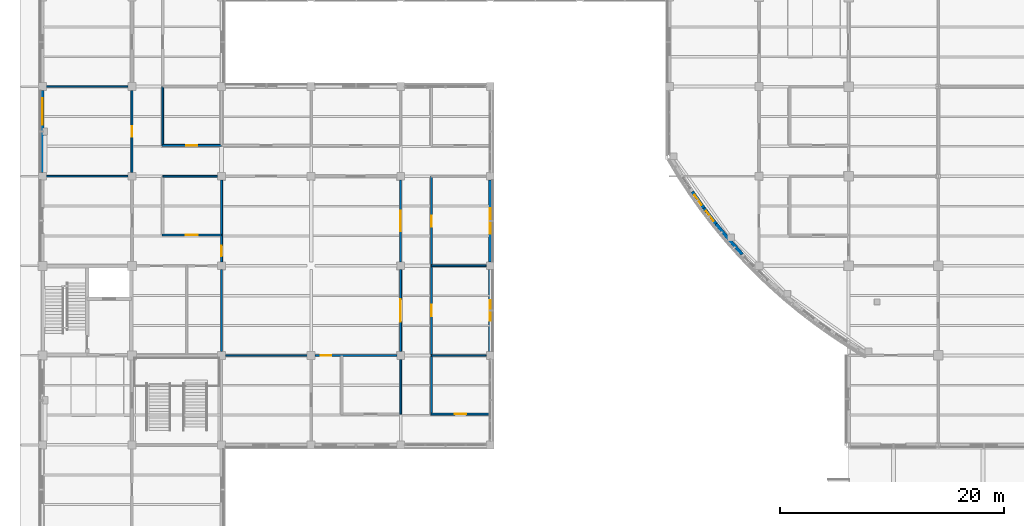
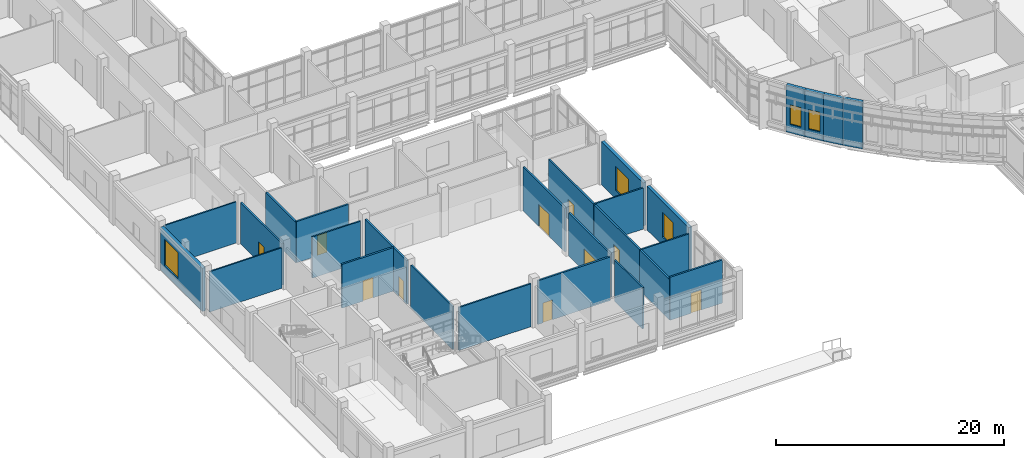
# One storey, part 60 of 105: 27 walls, 10 doors, 5 windows, 15 openings.
"""IFC4 building model written with IfcOpenShell, lengths in metres."""

from ifc_helpers import new_model, si_unit, derived_unit, direction, frame, frame_2d, origin, place, context, subcontext, project, spatial, rectangle, extrude, material, layer, layer_set, type_object, element, fill, save


model = new_model("IFC4")

# Units and contexts
model_context = context("Model", 3, precision=1e-05, world=origin(), true_north=direction((0.0, 1.0)))
body_context = subcontext(model_context, "Body", "Model", "MODEL_VIEW")
ifc_project = project(units=[si_unit("LENGTHUNIT", "METRE"), si_unit("AREAUNIT", "SQUARE_METRE"), si_unit("VOLUMEUNIT", "CUBIC_METRE"), si_unit("PLANEANGLEUNIT", "RADIAN"), si_unit("MASSUNIT", "GRAM", prefix="KILO"), derived_unit("THERMALTRANSMITTANCEUNIT", [(si_unit("MASSUNIT", "GRAM", prefix="KILO"), 1), (si_unit("TIMEUNIT", "SECOND"), -3), (si_unit("THERMODYNAMICTEMPERATUREUNIT", "KELVIN"), -1)])], contexts=[model_context])

# Site, building, storey
site_placement = place(None, origin())
site = spatial("IfcSite", under=ifc_project, at=site_placement, CompositionType="ELEMENT")
building_placement = place(site_placement, origin())
building = spatial("IfcBuilding", under=site, at=building_placement, Name="Veyamyaing Civic Hall", CompositionType="ELEMENT")
storey_placement = place(building_placement, origin())
storey = spatial("IfcBuildingStorey", under=building, at=storey_placement, Name="L00", CompositionType="ELEMENT", Elevation=0.0)

# Wall, opening, window
ifc_material_1 = material(Name="Precast concrete C40/50", Category="concrete")
ifc_layer_1 = layer(ifc_material_1, 0.320068359375, Name="Precast concrete C40/50")
ifc_layer_set_1 = layer_set([ifc_layer_1], Name="Precast concrete C40/50")
wall_type_1 = type_object("IfcWallType", Name="WT-02", PredefinedType="SOLIDWALL", material=ifc_layer_set_1)
wall_1_placement = place(storey_placement, frame((0.0, 32.3349609375, 0.0), z_axis=(0.0, 0.0, 1.0), x_axis=(0.0, 1.0, 0.0)))
wall_1 = element("IfcWall", 1, at=wall_1_placement, inside=storey, type_object=wall_type_1, Name="Exterior facade wall WT-02 L00 W 1.5", PredefinedType="SOLIDWALL", context=body_context, shape_type="SweptSolid", body=[
    extrude(rectangle(XDim=7.330078125, YDim=0.320068359375, at=frame_2d((3.6650390625, 0.0))), origin(), (0.0, 0.0, 1.0), 4.610107421875),
])
opening_1_placement = place(wall_1_placement, frame((4.25, 0.0, 0.89990234375)))
opening_1 = element("IfcOpeningElement", 2, at=opening_1_placement, cuts=wall_1, Name="Opening W-01", PredefinedType="OPENING", context=body_context, shape_type="SweptSolid", body=[
    extrude(rectangle(XDim=2.39990234375, YDim=2.800048828125, at=frame_2d((1.199951171875, 1.39990234375))), frame((0.0, 0.169921875, 0.0), z_axis=(0.0, -1.0, 0.0), x_axis=(1.0, 0.0, 0.0)), (0.0, 0.0, 1.0), 0.340087890625),
])
ifc_material_2 = material(Name="Low-E insulated glass", Category="glass")
window_type_1 = type_object("IfcWindowType", Name="W-01", PartitioningType="SINGLE_PANEL", PredefinedType="WINDOW", material=ifc_material_2)
window_1_placement = place(opening_1_placement, origin())
window_1 = element("IfcWindow", 3, at=window_1_placement, inside=storey, type_object=window_type_1, Name="Facade window W-01 L00 W 1.5", OverallHeight=2.800048828125, OverallWidth=2.39990234375, PartitioningType="SINGLE_PANEL", PredefinedType="WINDOW", context=body_context, shape_type="SweptSolid", body=[
    extrude(rectangle(XDim=2.39990234375, YDim=2.800048828125, at=frame_2d((1.199951171875, 1.39990234375))), frame((0.0, 0.030029296875, 0.0), z_axis=(0.0, -1.0, 0.0), x_axis=(1.0, 0.0, 0.0)), (0.0, 0.0, 1.0), 0.06005859375),
])
fill(opening_1, window_1)

wall_2_placement = place(storey_placement, frame((40.0, 16.3349609375, 0.0), z_axis=(0.0, 0.0, 1.0), x_axis=(0.0, 1.0, 0.0)))
wall_2 = element("IfcWall", 4, at=wall_2_placement, inside=storey, type_object=wall_type_1, Name="Exterior facade wall WT-02 L00 E 5.3", PredefinedType="SOLIDWALL", context=body_context, shape_type="SweptSolid", body=[
    extrude(rectangle(XDim=7.330078125, YDim=0.320068359375, at=frame_2d((3.6650390625, 0.0))), origin(), (0.0, 0.0, 1.0), 4.677001953125),
])
opening_2_placement = place(wall_2_placement, frame((2.739990234375, 0.0, 0.89990234375)))
opening_2 = element("IfcOpeningElement", 5, at=opening_2_placement, cuts=wall_2, Name="Opening W-03", PredefinedType="OPENING", context=body_context, shape_type="SweptSolid", body=[
    extrude(rectangle(XDim=1.85009765625, YDim=2.64990234375, at=frame_2d((0.925048828125, 1.324951171875))), frame((0.0, 0.169921875, 0.0), z_axis=(0.0, -1.0, 0.0), x_axis=(1.0, 0.0, 0.0)), (0.0, 0.0, 1.0), 0.340087890625),
])
window_type_2 = type_object("IfcWindowType", Name="W-03", PartitioningType="SINGLE_PANEL", PredefinedType="WINDOW", material=ifc_material_2)
window_2_placement = place(opening_2_placement, origin())
window_2 = element("IfcWindow", 6, at=window_2_placement, inside=storey, type_object=window_type_2, Name="Facade window W-03 L00 E 5.3", OverallHeight=2.64990234375, OverallWidth=1.85009765625, PartitioningType="SINGLE_PANEL", PredefinedType="WINDOW", context=body_context, shape_type="SweptSolid", body=[
    extrude(rectangle(XDim=1.85009765625, YDim=2.64990234375, at=frame_2d((0.925048828125, 1.324951171875))), frame((0.0, 0.030029296875, 0.0), z_axis=(0.0, -1.0, 0.0), x_axis=(1.0, 0.0, 0.0)), (0.0, 0.0, 1.0), 0.06005859375),
])
fill(opening_2, window_2)

wall_3_placement = place(storey_placement, frame((40.0, 24.3349609375, 0.0), z_axis=(0.0, 0.0, 1.0), x_axis=(0.0, 1.0, 0.0)))
wall_3 = element("IfcWall", 7, at=wall_3_placement, inside=storey, type_object=wall_type_1, Name="Exterior facade wall WT-02 L00 E 5.4", PredefinedType="SOLIDWALL", context=body_context, shape_type="SweptSolid", body=[
    extrude(rectangle(XDim=7.330078125, YDim=0.320068359375, at=frame_2d((3.6650390625, 0.0))), origin(), (0.0, 0.0, 1.0), 4.610107421875),
])
opening_3_placement = place(wall_3_placement, frame((2.514892578125, 0.0, 0.89990234375)))
opening_3 = element("IfcOpeningElement", 8, at=opening_3_placement, cuts=wall_3, Name="Opening W-25", PredefinedType="OPENING", context=body_context, shape_type="SweptSolid", body=[
    extrude(rectangle(XDim=2.300048828125, YDim=2.550048828125, at=frame_2d((1.14990234375, 1.27490234375))), frame((0.0, 0.169921875, 0.0), z_axis=(0.0, -1.0, 0.0), x_axis=(1.0, 0.0, 0.0)), (0.0, 0.0, 1.0), 0.340087890625),
])
window_type_3 = type_object("IfcWindowType", Name="W-25", PartitioningType="SINGLE_PANEL", PredefinedType="WINDOW", material=ifc_material_2)
window_3_placement = place(opening_3_placement, origin())
window_3 = element("IfcWindow", 9, at=window_3_placement, inside=storey, type_object=window_type_3, Name="Facade window W-25 L00 E 5.4", OverallHeight=2.550048828125, OverallWidth=2.300048828125, PartitioningType="SINGLE_PANEL", PredefinedType="WINDOW", context=body_context, shape_type="SweptSolid", body=[
    extrude(rectangle(XDim=2.300048828125, YDim=2.550048828125, at=frame_2d((1.14990234375, 1.27490234375))), frame((0.0, 0.030029296875, 0.0), z_axis=(0.0, -1.0, 0.0), x_axis=(1.0, 0.0, 0.0)), (0.0, 0.0, 1.0), 0.06005859375),
])
fill(opening_3, window_3)

ifc_layer_2 = layer(ifc_material_1, 0.304931640625, Name="Precast concrete C40/50")
ifc_layer_set_2 = layer_set([ifc_layer_2], Name="Precast concrete C40/50")
wall_type_2 = type_object("IfcWallType", Name="WT-03", PredefinedType="SOLIDWALL", material=ifc_layer_set_2)
wall_4_placement = place(storey_placement, frame((58.0361328125, 30.61962890625, 0.0), z_axis=(0.0, 0.0, 1.0), x_axis=(0.578662393636, -0.815567185578, 0.0)))
wall_4 = element("IfcWall", 10, at=wall_4_placement, inside=storey, type_object=wall_type_2, Name="Curved corner facade wall WT-03 L00 SW.3", PredefinedType="SOLIDWALL", context=body_context, shape_type="SweptSolid", body=[
    extrude(rectangle(XDim=1.795166015625, YDim=0.304931640625, at=frame_2d((0.8974609375, 0.0))), origin(), (0.0, 0.0, 1.0), 5.034912109375),
])
opening_4_placement = place(wall_4_placement, frame((0.34765625, 0.0, 0.89990234375)))
opening_4 = element("IfcOpeningElement", 11, at=opening_4_placement, cuts=wall_4, Name="Opening W-15", PredefinedType="OPENING", context=body_context, shape_type="SweptSolid", body=[
    extrude(rectangle(XDim=1.10009765625, YDim=2.10009765625, at=frame_2d((0.550048828125, 1.050048828125))), frame((0.0, 0.162353515625, 0.0), z_axis=(0.0, -1.0, 0.0), x_axis=(1.0, 0.0, 0.0)), (0.0, 0.0, 1.0), 0.324951171875),
])
window_type_4 = type_object("IfcWindowType", Name="W-15", PartitioningType="SINGLE_PANEL", PredefinedType="WINDOW", material=ifc_material_2)
window_4_placement = place(opening_4_placement, origin())
window_4 = element("IfcWindow", 12, at=window_4_placement, inside=storey, type_object=window_type_4, Name="Curved ribbon window W-15 L00 SW.3", OverallHeight=2.10009765625, OverallWidth=1.10009765625, PartitioningType="SINGLE_PANEL", PredefinedType="WINDOW", context=body_context, shape_type="SweptSolid", body=[
    extrude(rectangle(XDim=1.10009765625, YDim=2.10009765625, at=frame_2d((0.550048828125, 1.050048828125))), frame((0.0, 0.030029296875, 0.0), z_axis=(0.0, -1.0, 0.0), x_axis=(1.0, 0.0, 0.0)), (0.0, 0.0, 1.0), 0.06005859375),
])
fill(opening_4, window_4)

wall_5_placement = place(storey_placement, frame((59.071533203125, 29.16015625, 0.0), z_axis=(0.0, 0.0, 1.0), x_axis=(0.608776981616, -0.793341406114, 0.0)))
wall_5 = element("IfcWall", 13, at=wall_5_placement, inside=storey, type_object=wall_type_2, Name="Curved corner facade wall WT-03 L00 SW.4", PredefinedType="SOLIDWALL", context=body_context, shape_type="SweptSolid", body=[
    extrude(rectangle(XDim=1.794921875, YDim=0.304931640625, at=frame_2d((0.8974609375, 0.0))), origin(), (0.0, 0.0, 1.0), 5.034912109375),
])
opening_5_placement = place(wall_5_placement, frame((0.347412109375, 0.0, 0.89990234375)))
opening_5 = element("IfcOpeningElement", 14, at=opening_5_placement, cuts=wall_5, Name="Opening W-15", PredefinedType="OPENING", context=body_context, shape_type="SweptSolid", body=[
    extrude(rectangle(XDim=1.10009765625, YDim=2.10009765625, at=frame_2d((0.550048828125, 1.050048828125))), frame((0.0, 0.162353515625, 0.0), z_axis=(0.0, -1.0, 0.0), x_axis=(1.0, 0.0, 0.0)), (0.0, 0.0, 1.0), 0.324951171875),
])
window_5_placement = place(opening_5_placement, origin())
window_5 = element("IfcWindow", 15, at=window_5_placement, inside=storey, type_object=window_type_4, Name="Curved ribbon window W-15 L00 SW.4", OverallHeight=2.10009765625, OverallWidth=1.10009765625, PartitioningType="SINGLE_PANEL", PredefinedType="WINDOW", context=body_context, shape_type="SweptSolid", body=[
    extrude(rectangle(XDim=1.10009765625, YDim=2.10009765625, at=frame_2d((0.550048828125, 1.050048828125))), frame((0.0, 0.030029296875, 0.0), z_axis=(0.0, -1.0, 0.0), x_axis=(1.0, 0.0, 0.0)), (0.0, 0.0, 1.0), 0.06005859375),
])
fill(opening_5, window_5)

# Walls
wall_6_placement = place(storey_placement, frame((60.16064453125, 27.740478515625, 0.0), z_axis=(0.0, 0.0, 1.0), x_axis=(0.638054732073, -0.769991012207, 0.0)))
element("IfcWall", 16, at=wall_6_placement, inside=storey, type_object=wall_type_2, Name="Curved corner facade wall WT-03 L00 SW.5", PredefinedType="SOLIDWALL", context=body_context, shape_type="SweptSolid", body=[
    extrude(rectangle(XDim=1.794921875, YDim=0.304931640625, at=frame_2d((0.8974609375, 0.0))), origin(), (0.0, 0.0, 1.0), 5.034912109375),
])
wall_7_placement = place(storey_placement, frame((61.30224609375, 26.36279296875, 0.0), z_axis=(0.0, 0.0, 1.0), x_axis=(0.666277888361, -0.745703543965, 0.0)))
element("IfcWall", 17, at=wall_7_placement, inside=storey, type_object=wall_type_2, Name="Curved corner facade wall WT-03 L00 SW.6", PredefinedType="SOLIDWALL", context=body_context, shape_type="SweptSolid", body=[
    extrude(rectangle(XDim=1.795166015625, YDim=0.304931640625, at=frame_2d((0.8974609375, 0.0))), origin(), (0.0, 0.0, 1.0), 5.034912109375),
])

# Wall, opening, door
ifc_material_3 = material(Name="Gypsum board on acoustic steel stud", Category="steel")
ifc_layer_3 = layer(ifc_material_3, 0.175048828125, Name="Gypsum board on acoustic steel stud")
ifc_layer_set_3 = layer_set([ifc_layer_3], Name="Gypsum board on acoustic steel stud")
wall_type_3 = type_object("IfcWallType", Name="WT-07", PredefinedType="PARTITIONING", material=ifc_layer_set_3)
wall_8_placement = place(storey_placement, frame((10.699951171875, 34.75, 0.0), z_axis=(0.0, 0.0, 1.0), x_axis=(1.0, 0.0, 0.0)))
wall_8 = element("IfcWall", 18, at=wall_8_placement, inside=storey, type_object=wall_type_3, Name="Corridor gallery partition WT-07 L00.5.1", PredefinedType="PARTITIONING", context=body_context, shape_type="SweptSolid", body=[
    extrude(rectangle(XDim=5.280029296875, YDim=0.175048828125, at=frame_2d((2.64013671875, 0.0))), origin(), (0.0, 0.0, 1.0), 4.404052734375),
])
opening_6_placement = place(wall_8_placement, frame((2.159912109375, 0.0, 0.0)))
opening_6 = element("IfcOpeningElement", 19, at=opening_6_placement, cuts=wall_8, Name="Opening D-25", PredefinedType="OPENING", context=body_context, shape_type="SweptSolid", body=[
    extrude(rectangle(XDim=0.9599609375, YDim=2.139892578125, at=frame_2d((0.47998046875, 1.06982421875))), frame((0.0, 0.097412109375, 0.0), z_axis=(0.0, -1.0, 0.0), x_axis=(1.0, 0.0, 0.0)), (0.0, 0.0, 1.0), 0.195068359375),
])
ifc_material_4 = material(Name="Teak-veneered acoustic timber", Category="wood")
door_type_1 = type_object("IfcDoorType", Name="D-25", OperationType="NOTDEFINED", PredefinedType="DOOR", material=ifc_material_4)
door_1_placement = place(opening_6_placement, origin())
door_1 = element("IfcDoor", 20, at=door_1_placement, inside=storey, type_object=door_type_1, Name="Gallery office door D-25 L00.5", OperationType="SINGLE_SWING_RIGHT", OverallHeight=2.139892578125, OverallWidth=0.9599609375, PredefinedType="DOOR", context=body_context, shape_type="SweptSolid", body=[
    extrude(rectangle(XDim=0.9599609375, YDim=2.139892578125, at=frame_2d((0.47998046875, 1.06982421875))), frame((0.0, 0.02490234375, 0.0), z_axis=(0.0, -1.0, 0.0), x_axis=(1.0, 0.0, 0.0)), (0.0, 0.0, 1.0), 0.050048828125),
])
fill(opening_6, door_1)

# Wall
wall_9_placement = place(storey_placement, frame((10.75, 34.699951171875, 0.0), z_axis=(0.0, 0.0, 1.0), x_axis=(0.0, 1.0, 0.0)))
element("IfcWall", 21, at=wall_9_placement, inside=storey, type_object=wall_type_3, Name="Corridor gallery partition WT-07 L00.5.2", PredefinedType="PARTITIONING", context=body_context, shape_type="SweptSolid", body=[
    extrude(rectangle(XDim=5.280029296875, YDim=0.175048828125, at=frame_2d((2.64013671875, 0.0))), origin(), (0.0, 0.0, 1.0), 4.3359375),
])

# Wall, opening, door
wall_10_placement = place(storey_placement, frame((34.699951171875, 10.75, 0.0), z_axis=(0.0, 0.0, 1.0), x_axis=(1.0, 0.0, 0.0)))
wall_10 = element("IfcWall", 22, at=wall_10_placement, inside=storey, type_object=wall_type_3, Name="Corridor gallery partition WT-07 L00.19.1", PredefinedType="PARTITIONING", context=body_context, shape_type="SweptSolid", body=[
    extrude(rectangle(XDim=5.280029296875, YDim=0.175048828125, at=frame_2d((2.64013671875, 0.0))), origin(), (0.0, 0.0, 1.0), 4.60693359375),
])
opening_7_placement = place(wall_10_placement, frame((2.114990234375, 0.0, 0.0)))
opening_7 = element("IfcOpeningElement", 23, at=opening_7_placement, cuts=wall_10, Name="Opening D-12", PredefinedType="OPENING", context=body_context, shape_type="SweptSolid", body=[
    extrude(rectangle(XDim=1.050048828125, YDim=2.14990234375, at=frame_2d((0.52490234375, 1.074951171875))), frame((0.0, 0.097412109375, 0.0), z_axis=(0.0, -1.0, 0.0), x_axis=(1.0, 0.0, 0.0)), (0.0, 0.0, 1.0), 0.195068359375),
])
door_type_2 = type_object("IfcDoorType", Name="D-12", OperationType="NOTDEFINED", PredefinedType="DOOR", material=ifc_material_4)
door_2_placement = place(opening_7_placement, origin())
door_2 = element("IfcDoor", 24, at=door_2_placement, inside=storey, type_object=door_type_2, Name="Gallery office door D-12 L00.19", OperationType="SINGLE_SWING_RIGHT", OverallHeight=2.14990234375, OverallWidth=1.050048828125, PredefinedType="DOOR", context=body_context, shape_type="SweptSolid", body=[
    extrude(rectangle(XDim=1.050048828125, YDim=2.14990234375, at=frame_2d((0.52490234375, 1.074951171875))), frame((0.0, 0.02490234375, 0.0), z_axis=(0.0, -1.0, 0.0), x_axis=(1.0, 0.0, 0.0)), (0.0, 0.0, 1.0), 0.050048828125),
])
fill(opening_7, door_2)

# Wall
wall_11_placement = place(storey_placement, frame((34.75, 10.699951171875, 0.0), z_axis=(0.0, 0.0, 1.0), x_axis=(0.0, 1.0, 0.0)))
element("IfcWall", 25, at=wall_11_placement, inside=storey, type_object=wall_type_3, Name="Corridor gallery partition WT-07 L00.19.2", PredefinedType="PARTITIONING", context=body_context, shape_type="SweptSolid", body=[
    extrude(rectangle(XDim=5.280029296875, YDim=0.175048828125, at=frame_2d((2.64013671875, 0.0))), origin(), (0.0, 0.0, 1.0), 4.3359375),
])

# Wall, opening, door
wall_12_placement = place(storey_placement, frame((34.75, 24.02001953125, 0.0), z_axis=(0.0, 0.0, 1.0), x_axis=(0.0, 1.0, 0.0)))
wall_12 = element("IfcWall", 26, at=wall_12_placement, inside=storey, type_object=wall_type_3, Name="Corridor gallery partition WT-07 L00.21.1", PredefinedType="PARTITIONING", context=body_context, shape_type="SweptSolid", body=[
    extrude(rectangle(XDim=7.9599609375, YDim=0.175048828125, at=frame_2d((3.97998046875, 0.0))), origin(), (0.0, 0.0, 1.0), 4.326904296875),
])
opening_8_placement = place(wall_12_placement, frame((3.489990234375, 0.0, 0.0)))
opening_8 = element("IfcOpeningElement", 27, at=opening_8_placement, cuts=wall_12, Name="Opening D-14", PredefinedType="OPENING", context=body_context, shape_type="SweptSolid", body=[
    extrude(rectangle(XDim=0.97998046875, YDim=2.14990234375, at=frame_2d((0.489990234375, 1.074951171875))), frame((0.0, 0.097412109375, 0.0), z_axis=(0.0, -1.0, 0.0), x_axis=(1.0, 0.0, 0.0)), (0.0, 0.0, 1.0), 0.195068359375),
])
door_type_3 = type_object("IfcDoorType", Name="D-14", OperationType="NOTDEFINED", PredefinedType="DOOR", material=ifc_material_4)
door_3_placement = place(opening_8_placement, frame((0.97998046875, 0.0, 0.0), z_axis=(0.0, 0.0, 1.0), x_axis=(-1.0, 0.0, 0.0)))
door_3 = element("IfcDoor", 28, at=door_3_placement, inside=storey, type_object=door_type_3, Name="Gallery office door D-14 L00.21", OperationType="SINGLE_SWING_RIGHT", OverallHeight=2.14990234375, OverallWidth=0.97998046875, PredefinedType="DOOR", context=body_context, shape_type="SweptSolid", body=[
    extrude(rectangle(XDim=0.97998046875, YDim=2.14990234375, at=frame_2d((0.489990234375, 1.074951171875))), frame((0.0, 0.02490234375, 0.0), z_axis=(0.0, -1.0, 0.0), x_axis=(1.0, 0.0, 0.0)), (0.0, 0.0, 1.0), 0.050048828125),
])
fill(opening_8, door_3)

wall_13_placement = place(storey_placement, frame((8.0, 32.340087890625, 0.0), z_axis=(0.0, 0.0, 1.0), x_axis=(0.0, 1.0, 0.0)))
wall_13 = element("IfcWall", 29, at=wall_13_placement, inside=storey, type_object=wall_type_3, Name="Interior partition wall WT-07 L00.5", PredefinedType="PARTITIONING", context=body_context, shape_type="SweptSolid", body=[
    extrude(rectangle(XDim=7.31982421875, YDim=0.175048828125, at=frame_2d((3.659912109375, 0.0))), origin(), (0.0, 0.0, 1.0), 4.412109375),
])
opening_9_placement = place(wall_13_placement, frame((3.179931640625, 0.0, 0.0)))
opening_9 = element("IfcOpeningElement", 30, at=opening_9_placement, cuts=wall_13, Name="Opening D-25", PredefinedType="OPENING", context=body_context, shape_type="SweptSolid", body=[
    extrude(rectangle(XDim=0.9599609375, YDim=2.139892578125, at=frame_2d((0.47998046875, 1.06982421875))), frame((0.0, 0.097412109375, 0.0), z_axis=(0.0, -1.0, 0.0), x_axis=(1.0, 0.0, 0.0)), (0.0, 0.0, 1.0), 0.195068359375),
])
door_4_placement = place(opening_9_placement, origin())
door_4 = element("IfcDoor", 31, at=door_4_placement, inside=storey, type_object=door_type_1, Name="Interior door D-25 L00.5", OperationType="SINGLE_SWING_RIGHT", OverallHeight=2.139892578125, OverallWidth=0.9599609375, PredefinedType="DOOR", context=body_context, shape_type="SweptSolid", body=[
    extrude(rectangle(XDim=0.9599609375, YDim=2.139892578125, at=frame_2d((0.47998046875, 1.06982421875))), frame((0.0, 0.02490234375, 0.0), z_axis=(0.0, -1.0, 0.0), x_axis=(1.0, 0.0, 0.0)), (0.0, 0.0, 1.0), 0.050048828125),
])
fill(opening_9, door_4)

wall_14_placement = place(storey_placement, frame((16.0, 24.340087890625, 0.0), z_axis=(0.0, 0.0, 1.0), x_axis=(0.0, 1.0, 0.0)))
wall_14 = element("IfcWall", 32, at=wall_14_placement, inside=storey, type_object=wall_type_3, Name="Interior partition wall WT-07 L00.23", PredefinedType="PARTITIONING", context=body_context, shape_type="SweptSolid", body=[
    extrude(rectangle(XDim=7.31982421875, YDim=0.175048828125, at=frame_2d((3.659912109375, 0.0))), origin(), (0.0, 0.0, 1.0), 4.6669921875),
])
opening_10_placement = place(wall_14_placement, frame((0.52001953125, 0.0, 0.0)))
opening_10 = element("IfcOpeningElement", 33, at=opening_10_placement, cuts=wall_14, Name="Opening D-30", PredefinedType="OPENING", context=body_context, shape_type="SweptSolid", body=[
    extrude(rectangle(XDim=0.93994140625, YDim=2.1201171875, at=frame_2d((0.469970703125, 1.06005859375))), frame((0.0, 0.097412109375, 0.0), z_axis=(0.0, -1.0, 0.0), x_axis=(1.0, 0.0, 0.0)), (0.0, 0.0, 1.0), 0.195068359375),
])
door_type_4 = type_object("IfcDoorType", Name="D-30", OperationType="NOTDEFINED", PredefinedType="DOOR", material=ifc_material_4)
door_5_placement = place(opening_10_placement, frame((0.93994140625, 0.0, 0.0), z_axis=(0.0, 0.0, 1.0), x_axis=(-1.0, 0.0, 0.0)))
door_5 = element("IfcDoor", 34, at=door_5_placement, inside=storey, type_object=door_type_4, Name="Interior door D-30 L00.23", OperationType="SINGLE_SWING_LEFT", OverallHeight=2.1201171875, OverallWidth=0.93994140625, PredefinedType="DOOR", context=body_context, shape_type="SweptSolid", body=[
    extrude(rectangle(XDim=0.93994140625, YDim=2.1201171875, at=frame_2d((0.469970703125, 1.06005859375))), frame((0.0, 0.02490234375, 0.0), z_axis=(0.0, -1.0, 0.0), x_axis=(1.0, 0.0, 0.0)), (0.0, 0.0, 1.0), 0.050048828125),
])
fill(opening_10, door_5)

wall_15_placement = place(storey_placement, frame((32.0, 16.340087890625, 0.0), z_axis=(0.0, 0.0, 1.0), x_axis=(0.0, 1.0, 0.0)))
wall_15 = element("IfcWall", 35, at=wall_15_placement, inside=storey, type_object=wall_type_3, Name="Interior partition wall WT-07 L00.35", PredefinedType="PARTITIONING", context=body_context, shape_type="SweptSolid", body=[
    extrude(rectangle(XDim=7.31982421875, YDim=0.175048828125, at=frame_2d((3.659912109375, 0.0))), origin(), (0.0, 0.0, 1.0), 4.60693359375),
])
opening_11_placement = place(wall_15_placement, frame((2.659912109375, 0.0, 0.0)))
opening_11 = element("IfcOpeningElement", 36, at=opening_11_placement, cuts=wall_15, Name="Opening D-07", PredefinedType="OPENING", context=body_context, shape_type="SweptSolid", body=[
    extrude(rectangle(XDim=2.0, YDim=2.39990234375, at=frame_2d((1.0, 1.199951171875))), frame((0.0, 0.097412109375, 0.0), z_axis=(0.0, -1.0, 0.0), x_axis=(1.0, 0.0, 0.0)), (0.0, 0.0, 1.0), 0.195068359375),
])
door_type_5 = type_object("IfcDoorType", Name="D-07", OperationType="DOUBLE_DOOR_SINGLE_SWING", PredefinedType="DOOR", material=ifc_material_4)
door_6_placement = place(opening_11_placement, origin())
door_6 = element("IfcDoor", 37, at=door_6_placement, inside=storey, type_object=door_type_5, Name="Interior door D-07 L00.35", OperationType="DOUBLE_DOOR_SINGLE_SWING", OverallHeight=2.39990234375, OverallWidth=2.0, PredefinedType="DOOR", context=body_context, shape_type="SweptSolid", body=[
    extrude(rectangle(XDim=2.0, YDim=2.39990234375, at=frame_2d((1.0, 1.199951171875))), frame((0.0, 0.02490234375, 0.0), z_axis=(0.0, -1.0, 0.0), x_axis=(1.0, 0.0, 0.0)), (0.0, 0.0, 1.0), 0.050048828125),
])
fill(opening_11, door_6)

# Walls
ifc_material_5 = material(Name="Gypsum board on steel stud", Category="steel")
ifc_layer_4 = layer(ifc_material_5, 0.14990234375, Name="Gypsum board on steel stud")
ifc_layer_set_4 = layer_set([ifc_layer_4], Name="Gypsum board on steel stud")
wall_type_4 = type_object("IfcWallType", Name="WT-08", PredefinedType="PARTITIONING", material=ifc_layer_set_4)
wall_16_placement = place(storey_placement, frame((10.75, 32.0, 0.0), z_axis=(0.0, 0.0, 1.0), x_axis=(1.0, 0.0, 0.0)))
element("IfcWall", 38, at=wall_16_placement, inside=storey, type_object=wall_type_4, Name="Gallery office end partition WT-08 L00.4.1", PredefinedType="PARTITIONING", context=body_context, shape_type="SweptSolid", body=[
    extrude(rectangle(XDim=4.889892578125, YDim=0.14990234375, at=frame_2d((2.44482421875, 0.0))), origin(), (0.0, 0.0, 1.0), 4.403076171875),
])
wall_17_placement = place(storey_placement, frame((32.0, 10.75, 0.0), z_axis=(0.0, 0.0, 1.0), x_axis=(0.0, 1.0, 0.0)))
element("IfcWall", 39, at=wall_17_placement, inside=storey, type_object=wall_type_4, Name="Gallery office end partition WT-08 L00.13.2", PredefinedType="PARTITIONING", context=body_context, shape_type="SweptSolid", body=[
    extrude(rectangle(XDim=4.889892578125, YDim=0.14990234375, at=frame_2d((2.44482421875, 0.0))), origin(), (0.0, 0.0, 1.0), 4.412109375),
])
wall_18_placement = place(storey_placement, frame((34.75, 16.0, 0.0), z_axis=(0.0, 0.0, 1.0), x_axis=(1.0, 0.0, 0.0)))
element("IfcWall", 40, at=wall_18_placement, inside=storey, type_object=wall_type_4, Name="Gallery office end partition WT-08 L00.19.1", PredefinedType="PARTITIONING", context=body_context, shape_type="SweptSolid", body=[
    extrude(rectangle(XDim=4.889892578125, YDim=0.14990234375, at=frame_2d((2.44482421875, 0.0))), origin(), (0.0, 0.0, 1.0), 4.3359375),
])
wall_19_placement = place(storey_placement, frame((34.75, 24.0, 0.0), z_axis=(0.0, 0.0, 1.0), x_axis=(1.0, 0.0, 0.0)))
element("IfcWall", 41, at=wall_19_placement, inside=storey, type_object=wall_type_4, Name="Gallery office end partition WT-08 L00.20.2", PredefinedType="PARTITIONING", context=body_context, shape_type="SweptSolid", body=[
    extrude(rectangle(XDim=4.889892578125, YDim=0.14990234375, at=frame_2d((2.44482421875, 0.0))), origin(), (0.0, 0.0, 1.0), 4.404052734375),
])
wall_20_placement = place(storey_placement, frame((16.340087890625, 16.0, 0.0), z_axis=(0.0, 0.0, 1.0), x_axis=(1.0, 0.0, 0.0)))
element("IfcWall", 42, at=wall_20_placement, inside=storey, type_object=wall_type_4, Name="Interior partition wall WT-08 L00.27", PredefinedType="PARTITIONING", context=body_context, shape_type="SweptSolid", body=[
    extrude(rectangle(XDim=7.31982421875, YDim=0.14990234375, at=frame_2d((3.659912109375, 0.0))), origin(), (0.0, 0.0, 1.0), 4.60302734375),
])
ifc_material_6 = material(Name="Cement-board wet-area partition")
ifc_layer_5 = layer(ifc_material_6, 0.159912109375, Name="Cement-board wet-area partition")
ifc_layer_set_5 = layer_set([ifc_layer_5], Name="Cement-board wet-area partition")
wall_type_5 = type_object("IfcWallType", Name="WT-14", PredefinedType="PARTITIONING", material=ifc_layer_set_5)
wall_21_placement = place(storey_placement, frame((16.0, 16.340087890625, 0.0), z_axis=(0.0, 0.0, 1.0), x_axis=(0.0, 1.0, 0.0)))
element("IfcWall", 43, at=wall_21_placement, inside=storey, type_object=wall_type_5, Name="Interior partition wall WT-14 L00.21", PredefinedType="PARTITIONING", context=body_context, shape_type="SweptSolid", body=[
    extrude(rectangle(XDim=7.31982421875, YDim=0.159912109375, at=frame_2d((3.659912109375, 0.0))), origin(), (0.0, 0.0, 1.0), 4.60302734375),
])
ifc_layer_6 = layer(ifc_material_5, 0.135009765625, Name="Gypsum board on steel stud")
ifc_layer_set_6 = layer_set([ifc_layer_6], Name="Gypsum board on steel stud")
wall_type_6 = type_object("IfcWallType", Name="WT-15", PredefinedType="PARTITIONING", material=ifc_layer_set_6)
wall_22_placement = place(storey_placement, frame((0.340087890625, 32.0, 0.0), z_axis=(0.0, 0.0, 1.0), x_axis=(1.0, 0.0, 0.0)))
element("IfcWall", 44, at=wall_22_placement, inside=storey, type_object=wall_type_6, Name="Interior partition wall WT-15 L00.4", PredefinedType="PARTITIONING", context=body_context, shape_type="SweptSolid", body=[
    extrude(rectangle(XDim=7.31982421875, YDim=0.135009765625, at=frame_2d((3.659912109375, 0.0))), origin(), (0.0, 0.0, 1.0), 4.326904296875),
])

# Wall, opening, door
ifc_material_7 = material(Name="Gypsum board on double acoustic stud")
ifc_layer_7 = layer(ifc_material_7, 0.18505859375, Name="Gypsum board on double acoustic stud")
ifc_layer_set_7 = layer_set([ifc_layer_7], Name="Gypsum board on double acoustic stud")
wall_type_7 = type_object("IfcWallType", Name="WT-19", PredefinedType="PARTITIONING", material=ifc_layer_set_7)
wall_23_placement = place(storey_placement, frame((10.699951171875, 26.75, 0.0), z_axis=(0.0, 0.0, 1.0), x_axis=(1.0, 0.0, 0.0)))
wall_23 = element("IfcWall", 45, at=wall_23_placement, inside=storey, type_object=wall_type_7, Name="Corridor gallery partition WT-19 L00.4.1", PredefinedType="PARTITIONING", context=body_context, shape_type="SweptSolid", body=[
    extrude(rectangle(XDim=5.280029296875, YDim=0.18505859375, at=frame_2d((2.64013671875, 0.0))), origin(), (0.0, 0.0, 1.0), 4.6669921875),
])
opening_12_placement = place(wall_23_placement, frame((2.1201171875, 0.0, 0.0)))
opening_12 = element("IfcOpeningElement", 46, at=opening_12_placement, cuts=wall_23, Name="Opening D-24", PredefinedType="OPENING", context=body_context, shape_type="SweptSolid", body=[
    extrude(rectangle(XDim=1.0400390625, YDim=2.179931640625, at=frame_2d((0.52001953125, 1.08984375))), frame((0.0, 0.1025390625, 0.0), z_axis=(0.0, -1.0, 0.0), x_axis=(1.0, 0.0, 0.0)), (0.0, 0.0, 1.0), 0.205078125),
])
door_type_6 = type_object("IfcDoorType", Name="D-24", OperationType="NOTDEFINED", PredefinedType="DOOR", material=ifc_material_4)
door_7_placement = place(opening_12_placement, origin())
door_7 = element("IfcDoor", 47, at=door_7_placement, inside=storey, type_object=door_type_6, Name="Gallery office door D-24 L00.4", OperationType="SINGLE_SWING_LEFT", OverallHeight=2.179931640625, OverallWidth=1.0400390625, PredefinedType="DOOR", context=body_context, shape_type="SweptSolid", body=[
    extrude(rectangle(XDim=1.0400390625, YDim=2.179931640625, at=frame_2d((0.52001953125, 1.08984375))), frame((0.0, 0.02490234375, 0.0), z_axis=(0.0, -1.0, 0.0), x_axis=(1.0, 0.0, 0.0)), (0.0, 0.0, 1.0), 0.050048828125),
])
fill(opening_12, door_7)

wall_24_placement = place(storey_placement, frame((34.75, 16.02001953125, 0.0), z_axis=(0.0, 0.0, 1.0), x_axis=(0.0, 1.0, 0.0)))
wall_24 = element("IfcWall", 48, at=wall_24_placement, inside=storey, type_object=wall_type_7, Name="Corridor gallery partition WT-19 L00.20.1", PredefinedType="PARTITIONING", context=body_context, shape_type="SweptSolid", body=[
    extrude(rectangle(XDim=7.9599609375, YDim=0.18505859375, at=frame_2d((3.97998046875, 0.0))), origin(), (0.0, 0.0, 1.0), 4.3359375),
])
opening_13_placement = place(wall_24_placement, frame((3.47998046875, 0.0, 0.0)))
opening_13 = element("IfcOpeningElement", 49, at=opening_13_placement, cuts=wall_24, Name="Opening D-13", PredefinedType="OPENING", context=body_context, shape_type="SweptSolid", body=[
    extrude(rectangle(XDim=1.0, YDim=2.14990234375, at=frame_2d((0.5, 1.074951171875))), frame((0.0, 0.1025390625, 0.0), z_axis=(0.0, -1.0, 0.0), x_axis=(1.0, 0.0, 0.0)), (0.0, 0.0, 1.0), 0.205078125),
])
door_type_7 = type_object("IfcDoorType", Name="D-13", OperationType="NOTDEFINED", PredefinedType="DOOR", material=ifc_material_4)
door_8_placement = place(opening_13_placement, frame((1.0, 0.0, 0.0), z_axis=(0.0, 0.0, 1.0), x_axis=(-1.0, 0.0, 0.0)))
door_8 = element("IfcDoor", 50, at=door_8_placement, inside=storey, type_object=door_type_7, Name="Gallery office door D-13 L00.20", OperationType="SINGLE_SWING_LEFT", OverallHeight=2.14990234375, OverallWidth=1.0, PredefinedType="DOOR", context=body_context, shape_type="SweptSolid", body=[
    extrude(rectangle(XDim=1.0, YDim=2.14990234375, at=frame_2d((0.5, 1.074951171875))), frame((0.0, 0.02490234375, 0.0), z_axis=(0.0, -1.0, 0.0), x_axis=(1.0, 0.0, 0.0)), (0.0, 0.0, 1.0), 0.050048828125),
])
fill(opening_13, door_8)

wall_25_placement = place(storey_placement, frame((24.340087890625, 16.0, 0.0), z_axis=(0.0, 0.0, 1.0), x_axis=(1.0, 0.0, 0.0)))
wall_25 = element("IfcWall", 51, at=wall_25_placement, inside=storey, type_object=wall_type_7, Name="Interior partition wall WT-19 L00.34", PredefinedType="PARTITIONING", context=body_context, shape_type="SweptSolid", body=[
    extrude(rectangle(XDim=7.31982421875, YDim=0.18505859375, at=frame_2d((3.659912109375, 0.0))), origin(), (0.0, 0.0, 1.0), 4.6669921875),
])
opening_14_placement = place(wall_25_placement, frame((0.52001953125, 0.0, 0.0)))
opening_14 = element("IfcOpeningElement", 52, at=opening_14_placement, cuts=wall_25, Name="Opening D-30", PredefinedType="OPENING", context=body_context, shape_type="SweptSolid", body=[
    extrude(rectangle(XDim=0.93994140625, YDim=2.1201171875, at=frame_2d((0.469970703125, 1.06005859375))), frame((0.0, 0.1025390625, 0.0), z_axis=(0.0, -1.0, 0.0), x_axis=(1.0, 0.0, 0.0)), (0.0, 0.0, 1.0), 0.205078125),
])
door_9_placement = place(opening_14_placement, origin())
door_9 = element("IfcDoor", 53, at=door_9_placement, inside=storey, type_object=door_type_4, Name="Interior door D-30 L00.34", OperationType="SINGLE_SWING_RIGHT", OverallHeight=2.1201171875, OverallWidth=0.93994140625, PredefinedType="DOOR", context=body_context, shape_type="SweptSolid", body=[
    extrude(rectangle(XDim=0.93994140625, YDim=2.1201171875, at=frame_2d((0.469970703125, 1.06005859375))), frame((0.0, 0.02490234375, 0.0), z_axis=(0.0, -1.0, 0.0), x_axis=(1.0, 0.0, 0.0)), (0.0, 0.0, 1.0), 0.050048828125),
])
fill(opening_14, door_9)

wall_26_placement = place(storey_placement, frame((32.0, 24.340087890625, 0.0), z_axis=(0.0, 0.0, 1.0), x_axis=(0.0, 1.0, 0.0)))
wall_26 = element("IfcWall", 54, at=wall_26_placement, inside=storey, type_object=wall_type_7, Name="Interior partition wall WT-19 L00.36", PredefinedType="PARTITIONING", context=body_context, shape_type="SweptSolid", body=[
    extrude(rectangle(XDim=7.31982421875, YDim=0.18505859375, at=frame_2d((3.659912109375, 0.0))), origin(), (0.0, 0.0, 1.0), 4.669921875),
])
opening_15_placement = place(wall_26_placement, frame((2.760009765625, 0.0, 0.0)))
opening_15 = element("IfcOpeningElement", 55, at=opening_15_placement, cuts=wall_26, Name="Opening D-08", PredefinedType="OPENING", context=body_context, shape_type="SweptSolid", body=[
    extrude(rectangle(XDim=1.800048828125, YDim=2.35009765625, at=frame_2d((0.89990234375, 1.175048828125))), frame((0.0, 0.1025390625, 0.0), z_axis=(0.0, -1.0, 0.0), x_axis=(1.0, 0.0, 0.0)), (0.0, 0.0, 1.0), 0.205078125),
])
door_type_8 = type_object("IfcDoorType", Name="D-08", OperationType="DOUBLE_DOOR_SINGLE_SWING", PredefinedType="DOOR", material=ifc_material_4)
door_10_placement = place(opening_15_placement, origin())
door_10 = element("IfcDoor", 56, at=door_10_placement, inside=storey, type_object=door_type_8, Name="Interior door D-08 L00.36", OperationType="DOUBLE_DOOR_SINGLE_SWING", OverallHeight=2.35009765625, OverallWidth=1.800048828125, PredefinedType="DOOR", context=body_context, shape_type="SweptSolid", body=[
    extrude(rectangle(XDim=1.800048828125, YDim=2.35009765625, at=frame_2d((0.89990234375, 1.175048828125))), frame((0.0, 0.02490234375, 0.0), z_axis=(0.0, -1.0, 0.0), x_axis=(1.0, 0.0, 0.0)), (0.0, 0.0, 1.0), 0.050048828125),
])
fill(opening_15, door_10)

# Wall
ifc_layer_8 = layer(ifc_material_5, 0.14208984375, Name="Gypsum board on steel stud")
ifc_layer_set_8 = layer_set([ifc_layer_8], Name="Gypsum board on steel stud")
wall_type_8 = type_object("IfcWallType", Name="WT-20", PredefinedType="PARTITIONING", material=ifc_layer_set_8)
wall_27_placement = place(storey_placement, frame((0.340087890625, 40.0, 0.0), z_axis=(0.0, 0.0, 1.0), x_axis=(1.0, 0.0, 0.0)))
element("IfcWall", 57, at=wall_27_placement, inside=storey, type_object=wall_type_8, Name="Interior partition wall WT-20 L00.6", PredefinedType="PARTITIONING", context=body_context, shape_type="SweptSolid", body=[
    extrude(rectangle(XDim=7.31982421875, YDim=0.14208984375, at=frame_2d((3.659912109375, 0.0))), origin(), (0.0, 0.0, 1.0), 4.403076171875),
])

save(model, "model.ifc")
